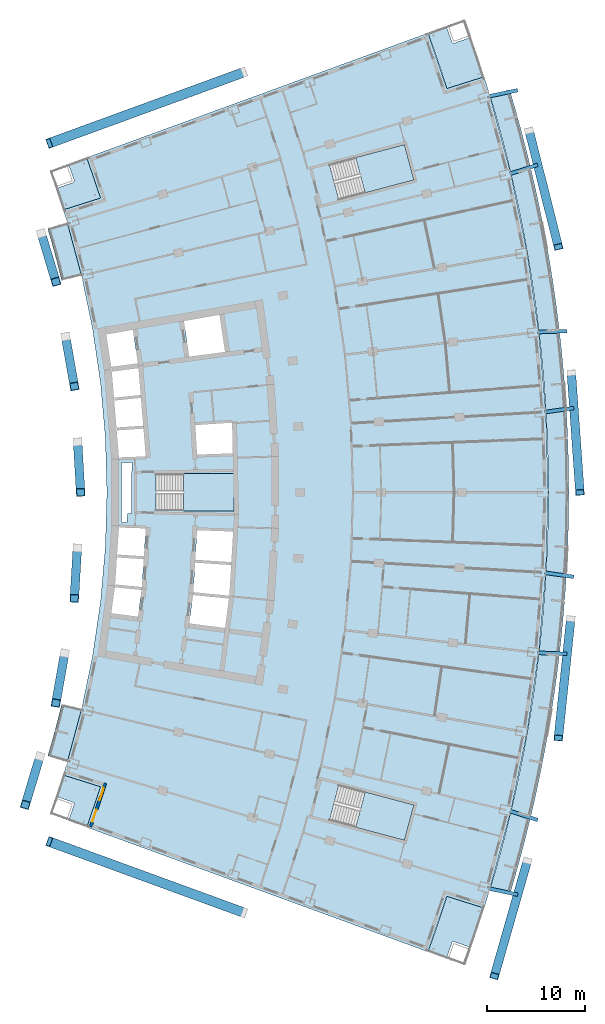
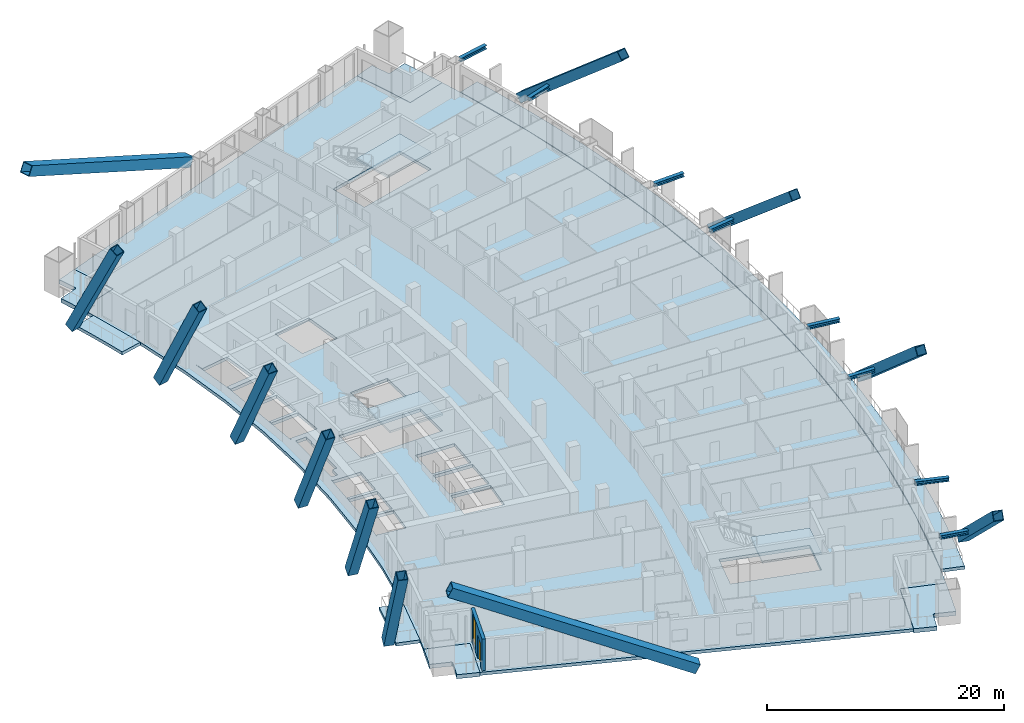
# One storey, part 12 of 25: 20 members, 11 slabs, 1 door, 1 wall, 1 window, 2 openings, 3 elements without a shape of their own.
"""IFC4 building model written with IfcOpenShell, lengths in metres."""

from ifc_helpers import new_model, si_unit, direction, frame, frame_2d, origin, origin_2d, place, context, subcontext, project, spatial, polyline, rectangle, hollow_rectangle, i_section, outline, extrude, material, layer, layer_set, material_profile, profile_set, type_object, element, fill, aggregate, save


model = new_model("IFC4")

# Units and contexts
model_context = context("Model", 3, precision=1e-05, world=origin(), true_north=direction((0.0, 1.0)))
body_context = subcontext(model_context, "Body", "Model", "MODEL_VIEW")
ifc_project = project(units=[si_unit("LENGTHUNIT", "METRE"), si_unit("AREAUNIT", "SQUARE_METRE"), si_unit("VOLUMEUNIT", "CUBIC_METRE"), si_unit("PLANEANGLEUNIT", "RADIAN"), si_unit("MASSUNIT", "GRAM", prefix="KILO")], contexts=[model_context])

# Site, building, storey
site_placement = place(None, origin())
site = spatial("IfcSite", under=ifc_project, at=site_placement, CompositionType="ELEMENT")
building_placement = place(site_placement, origin())
building = spatial("IfcBuilding", under=site, at=building_placement, Name="Alderwake Tower", CompositionType="ELEMENT")
storey_placement = place(building_placement, frame((0.0, 0.0, 114.800048828125)))
storey = spatial("IfcBuildingStorey", under=building, at=storey_placement, Name="L28", CompositionType="ELEMENT", Elevation=114.800048828125)

# Members
ifc_material_1 = material(Name="Steel ASTM A992 Grade 50", Category="steel")
ifc_material_profile_1 = material_profile(ifc_material_1, i_section(OverallWidth=0.3740234375, OverallDepth=0.372314453125, WebThickness=0.016357421875, FlangeThickness=0.026123046875, at=origin_2d()), Name="W14X132")
ifc_profile_set_1 = profile_set([ifc_material_profile_1], Name="Steel ASTM A992 Grade 50")
member_type_1 = type_object("IfcMemberType", Name="Brace node stub W14X132", PredefinedType="MEMBER", material=ifc_profile_set_1)
for number, where, z_axis, x_axis, name in (
    (1, (57.300537109375, 28.367919921875, 3.393798828125), (0.950309447874, -0.311306847471, 0.0), (0.311306847471, 0.950309447874, 0.0), "Brace node stub BS.FR03-C5.1184"),
    (2, (55.1650390625, 20.42041015625, 3.393798828125), (0.978364132105, -0.206890369547, 0.0), (0.206890369547, 0.978364132105, 0.0), "Brace node stub BS.FR02-C5.1184"),
):
    element("IfcMember", number, at=place(storey_placement, frame(where, z_axis=z_axis, x_axis=x_axis)), inside=storey, type_object=member_type_1, Name=name, PredefinedType="MEMBER", context=body_context, shape_type="SweptSolid", body=[
        extrude(i_section(OverallWidth=0.3740234375, OverallDepth=0.372314453125, WebThickness=0.016357421875, FlangeThickness=0.026123046875, at=origin_2d()), origin(), (0.0, 0.0, 1.0), 2.96435546875),
    ])
member_1_placement = place(storey_placement, frame((60.885009765625, 52.771484375, 3.393798828125), z_axis=(0.989997207433, -0.141086956434, 0.0), x_axis=(0.141086956434, 0.989997207433, 0.0)))
element("IfcMember", 3, at=member_1_placement, inside=storey, type_object=member_type_1, Name="Brace node stub BS.FR06-C5.1184", PredefinedType="MEMBER", context=body_context, shape_type="SweptSolid", body=[
    extrude(i_section(OverallWidth=0.3740234375, OverallDepth=0.372314453125, WebThickness=0.016357421875, FlangeThickness=0.026123046875, at=origin_2d()), origin(), (0.0, 0.0, 1.0), 2.964111328125),
])
for number, where, z_axis, x_axis, name in (
    (4, (60.165771484375, 44.57373046875, 3.393798828125), (0.999440785922, -0.033438233134, 0.0), (0.033438233134, 0.999440785922, 0.0), "Brace node stub BS.FR05-C5.1184"),
    (5, (60.165771484375, 77.42626953125, 3.393798828125), (0.999440785922, 0.033438233134, 0.0), (-0.033438233134, 0.999440785922, 0.0), "Brace node stub BS.FR09-C5.1184"),
):
    element("IfcMember", number, at=place(storey_placement, frame(where, z_axis=z_axis, x_axis=x_axis)), inside=storey, type_object=member_type_1, Name=name, PredefinedType="MEMBER", context=body_context, shape_type="SweptSolid", body=[
        extrude(i_section(OverallWidth=0.3740234375, OverallDepth=0.372314453125, WebThickness=0.016357421875, FlangeThickness=0.026123046875, at=origin_2d()), origin(), (0.0, 0.0, 1.0), 2.96435546875),
    ])
member_2_placement = place(storey_placement, frame((60.885009765625, 69.228515625, 3.393798828125), z_axis=(0.989997207433, 0.141086956434, 0.0), x_axis=(-0.141086956434, 0.989997207433, 0.0)))
element("IfcMember", 6, at=member_2_placement, inside=storey, type_object=member_type_1, Name="Brace node stub BS.FR08-C5.1184", PredefinedType="MEMBER", context=body_context, shape_type="SweptSolid", body=[
    extrude(i_section(OverallWidth=0.3740234375, OverallDepth=0.372314453125, WebThickness=0.016357421875, FlangeThickness=0.026123046875, at=origin_2d()), origin(), (0.0, 0.0, 1.0), 2.964111328125),
])
for number, where, z_axis, x_axis, name in (
    (7, (55.1650390625, 101.57958984375, 3.393798828125), (0.978364132105, 0.206890369547, 0.0), (-0.206890369547, 0.978364132105, 0.0), "Brace node stub BS.FR12-C5.1184"),
    (8, (57.300537109375, 93.632080078125, 3.393798828125), (0.950309447874, 0.311306847471, 0.0), (-0.311306847471, 0.950309447874, 0.0), "Brace node stub BS.FR11-C5.1184"),
):
    element("IfcMember", number, at=place(storey_placement, frame(where, z_axis=z_axis, x_axis=x_axis)), inside=storey, type_object=member_type_1, Name=name, PredefinedType="MEMBER", context=body_context, shape_type="SweptSolid", body=[
        extrude(i_section(OverallWidth=0.3740234375, OverallDepth=0.372314453125, WebThickness=0.016357421875, FlangeThickness=0.026123046875, at=origin_2d()), origin(), (0.0, 0.0, 1.0), 2.96435546875),
    ])
ifc_material_2 = material(Name="Steel ASTM A572 Grade 50", Category="steel")
ifc_material_profile_2 = material_profile(ifc_material_2, hollow_rectangle(XDim=1.0, YDim=1.0, WallThickness=0.06005859375, at=origin_2d()), Name="BOX 1000X1000X60")
ifc_profile_set_2 = profile_set([ifc_material_profile_2], Name="Steel ASTM A572 Grade 50")
member_type_2 = type_object("IfcMemberType", Name="Mega brace end Z2", PredefinedType="BRACE", material=ifc_profile_set_2)
for number, where, z_axis, x_axis, name in (
    (9, (30.0439453125, 17.95654296875, 0.329345703125), (-0.842493241713, 0.307531226273, 0.442300443742), (-0.342895039119, -0.939373723365, 0.0), "Brace BRS2.2.0B2"),
    (10, (30.0439453125, 104.04345703125, 0.329345703125), (-0.842493241713, -0.307531226273, 0.442300443742), (0.342895039119, -0.939373723365, 0.0), "Brace BRN2.2.0B2"),
):
    element("IfcMember", number, at=place(storey_placement, frame(where, z_axis=z_axis, x_axis=x_axis)), inside=storey, type_object=member_type_2, Name=name, PredefinedType="BRACE", context=body_context, shape_type="SweptSolid", body=[
        extrude(hollow_rectangle(XDim=1.0, YDim=1.0, WallThickness=0.06005859375, at=origin_2d()), origin(), (0.0, 0.0, 1.0), 23.67333984375),
    ])
ifc_material_3 = material(Name="Steel ASTM A572 Grade 50", Category="steel")
ifc_material_profile_3 = material_profile(ifc_material_3, hollow_rectangle(XDim=0.89990234375, YDim=0.89990234375, WallThickness=0.054931640625, at=origin_2d()), Name="BOX 900X900X55")
ifc_profile_set_3 = profile_set([ifc_material_profile_3], Name="Steel ASTM A572 Grade 50")
member_type_3 = type_object("IfcMemberType", Name="Mega brace face Z2", PredefinedType="BRACE", material=ifc_profile_set_3)
for number, where, z_axis, x_axis, name in (
    (11, (59.056396484375, 23.27587890625, 0.311767578125), (-0.208883739072, -0.731055286581, 0.649558120197), (0.96152019535, -0.274734260574, 0.0), "Brace BRF2.2.1B2"),
    (12, (63.50048828125, 48.062744140625, 0.311767578125), (-0.078413406373, -0.756252397443, 0.649564199339), (0.994667480604, -0.103133908238, 0.0), "Brace BRF2.2.4B2"),
    (13, (63.561279296875, 73.2451171875, 0.311767578125), (0.054447272591, -0.758360845338, 0.649557020411), (0.9974325888, 0.071611666645, 0.0), "Brace BRF2.2.7B2"),
    (14, (59.23681640625, 98.05322265625, 0.311767578125), (0.185644136704, -0.73729964474, 0.649557917643), (0.969732864398, 0.244168326581, 0.0), "Brace BRF2.2.10B2"),
):
    element("IfcMember", number, at=place(storey_placement, frame(where, z_axis=z_axis, x_axis=x_axis)), inside=storey, type_object=member_type_3, Name=name, PredefinedType="BRACE", context=body_context, shape_type="SweptSolid", body=[
        extrude(hollow_rectangle(XDim=0.89990234375, YDim=0.89990234375, WallThickness=0.054931640625, at=origin_2d()), origin(), (0.0, 0.0, 1.0), 16.146728515625),
    ])
for number, where, z_axis, x_axis, name in (
    (15, (9.134521484375, 33.973876953125, 0.504638671875), (-0.129340279084, -0.430823637978, 0.893119300635), (0.957769248011, -0.287537941087, 0.0), "Brace BRR2.2.1B2"),
    (16, (11.674560546875, 44.533203125, 0.504638671875), (-0.078319666764, -0.442957228334, 0.893115291362), (0.984726153271, -0.174110318661, 0.0), "Brace BRR2.2.3B2"),
    (17, (12.968017578125, 55.316162109375, 0.504638671875), (-0.026219583809, -0.449058025452, 0.893117810371), (0.998299768862, -0.058288690933, 0.0), "Brace BRR2.2.5B2"),
    (18, (12.997802734375, 66.176513671875, 0.504638671875), (0.026219583809, -0.449058025452, 0.893117810371), (0.998299768862, 0.058288690933, 0.0), "Brace BRR2.2.7B2"),
):
    element("IfcMember", number, at=place(storey_placement, frame(where, z_axis=z_axis, x_axis=x_axis)), inside=storey, type_object=member_type_3, Name=name, PredefinedType="BRACE", context=body_context, shape_type="SweptSolid", body=[
        extrude(hollow_rectangle(XDim=0.89990234375, YDim=0.89990234375, WallThickness=0.054931640625, at=origin_2d()), origin(), (0.0, 0.0, 1.0), 11.527587890625),
    ])
member_3_placement = place(storey_placement, frame((11.762939453125, 76.96630859375, 0.504638671875), z_axis=(0.078320401502, -0.442940204709, 0.893123669914), x_axis=(0.9847247259, 0.174118391335, 0.0)))
element("IfcMember", 19, at=member_3_placement, inside=storey, type_object=member_type_3, Name="Brace BRR2.2.9B2", PredefinedType="BRACE", context=body_context, shape_type="SweptSolid", body=[
    extrude(hollow_rectangle(XDim=0.89990234375, YDim=0.89990234375, WallThickness=0.054931640625, at=origin_2d()), origin(), (0.0, 0.0, 1.0), 11.52734375),
])
member_4_placement = place(storey_placement, frame((9.28076171875, 87.539306640625, 0.504638671875), z_axis=(0.129340279084, -0.430823637978, 0.893119300635), x_axis=(0.957769248011, 0.287537941087, 0.0)))
element("IfcMember", 20, at=member_4_placement, inside=storey, type_object=member_type_3, Name="Brace BRR2.2.11B2", PredefinedType="BRACE", context=body_context, shape_type="SweptSolid", body=[
    extrude(hollow_rectangle(XDim=0.89990234375, YDim=0.89990234375, WallThickness=0.054931640625, at=origin_2d()), origin(), (0.0, 0.0, 1.0), 11.527587890625),
])

# Slabs
ifc_material_4 = material(Name="Concrete C50/60", Category="concrete")
ifc_layer_1 = layer(ifc_material_4, 0.320068359375)
ifc_layer_set_1 = layer_set([ifc_layer_1], Name="Balcony slab 320")
slab_type_1 = type_object("IfcSlabType", Name="Balcony slab 320", PredefinedType="FLOOR", material=ifc_layer_set_1)
slab_1_placement = place(storey_placement, frame((0.0, 0.0, -0.320068359375)))
element("IfcSlab", 21, at=slab_1_placement, inside=storey, type_object=slab_type_1, Name="Balcony BF02", PredefinedType="FLOOR", context=body_context, shape_type="SweptSolid", body=[
    extrude(outline(polyline([(57.247802734375, 19.794189453125), (57.834228515625, 21.800048828125), (58.39111328125, 23.814208984375), (58.918701171875, 25.83642578125), (59.416748046875, 27.865966796875), (59.885009765625, 29.902587890625), (60.32373046875, 31.94580078125), (60.732421875, 33.9951171875), (61.111328125, 36.05029296875), (61.460205078125, 38.11083984375), (61.77880859375, 40.176025390625), (62.0673828125, 42.245849609375), (62.325927734375, 44.319580078125), (62.553955078125, 46.39697265625), (62.751708984375, 48.477294921875), (62.919189453125, 50.560302734375), (63.056396484375, 52.6455078125), (63.162841796875, 54.732666015625), (63.239013671875, 56.821044921875), (63.284912109375, 58.910400390625), (63.300048828125, 61.0), (63.284912109375, 63.089599609375), (63.239013671875, 65.178955078125), (63.162841796875, 67.267333984375), (63.056396484375, 69.3544921875), (62.919189453125, 71.439697265625), (62.751708984375, 73.522705078125), (62.553955078125, 75.60302734375), (62.325927734375, 77.680419921875), (62.0673828125, 79.754150390625), (61.77880859375, 81.823974609375), (61.460205078125, 83.88916015625), (61.111328125, 85.94970703125), (60.732421875, 88.0048828125), (60.32373046875, 90.05419921875), (59.885009765625, 92.097412109375), (59.416748046875, 94.134033203125), (58.918701171875, 96.16357421875), (58.39111328125, 98.185791015625), (57.834228515625, 100.199951171875), (57.247802734375, 102.205810546875), (55.236572265625, 101.601806640625), (55.814208984375, 99.62548828125), (56.363037109375, 97.640869140625), (56.8828125, 95.648193359375), (57.37353515625, 93.6484375), (57.835205078125, 91.641845703125), (58.267333984375, 89.62841796875), (58.670166015625, 87.609130859375), (59.04345703125, 85.583984375), (59.38720703125, 83.5537109375), (59.701171875, 81.518798828125), (59.985595703125, 79.479248046875), (60.239990234375, 77.43603515625), (60.46484375, 75.38916015625), (60.659912109375, 73.339111328125), (60.82470703125, 71.28662109375), (60.959716796875, 69.23193359375), (61.06494140625, 67.175537109375), (61.139892578125, 65.11767578125), (61.18505859375, 63.05908203125), (61.199951171875, 61.0), (61.18505859375, 58.94091796875), (61.139892578125, 56.88232421875), (61.06494140625, 54.824462890625), (60.959716796875, 52.76806640625), (60.82470703125, 50.71337890625), (60.659912109375, 48.660888671875), (60.46484375, 46.61083984375), (60.239990234375, 44.56396484375), (59.985595703125, 42.520751953125), (59.701171875, 40.481201171875), (59.38720703125, 38.4462890625), (59.04345703125, 36.416015625), (58.670166015625, 34.390869140625), (58.267333984375, 32.37158203125), (57.835205078125, 30.358154296875), (57.37353515625, 28.3515625), (56.8828125, 26.351806640625), (56.363037109375, 24.359130859375), (55.814208984375, 22.37451171875), (55.236572265625, 20.398193359375), (57.247802734375, 19.794189453125)])), origin(), (0.0, 0.0, 1.0), 0.320068359375),
])
slab_2_placement = place(storey_placement, frame((0.0, 0.0, -0.320068359375)))
element("IfcSlab", 22, at=slab_2_placement, inside=storey, type_object=slab_type_1, Name="Balcony BR02", PredefinedType="FLOOR", context=body_context, shape_type="SweptSolid", body=[
    extrude(outline(polyline([(9.93408203125, 33.999267578125), (11.945556640625, 33.395263671875), (13.3984375, 38.802734375), (11.35546875, 39.288330078125), (11.029052734375, 37.95849609375), (10.683349609375, 36.63330078125), (10.318359375, 35.3134765625), (9.93408203125, 33.999267578125)])), origin(), (0.0, 0.0, 1.0), 0.320068359375),
])
slab_3_placement = place(storey_placement, frame((0.0, 0.0, -0.320068359375)))
element("IfcSlab", 23, at=slab_3_placement, inside=storey, type_object=slab_type_1, Name="Balcony BR11", PredefinedType="FLOOR", context=body_context, shape_type="SweptSolid", body=[
    extrude(outline(polyline([(11.35546875, 82.711669921875), (13.3984375, 83.197265625), (11.945556640625, 88.604736328125), (9.93408203125, 88.000732421875), (10.318359375, 86.6865234375), (10.683349609375, 85.36669921875), (11.029052734375, 84.04150390625), (11.35546875, 82.711669921875)])), origin(), (0.0, 0.0, 1.0), 0.320068359375),
])
ifc_material_5 = material(Name="Concrete C50/60", Category="concrete")
ifc_layer_2 = layer(ifc_material_5, 0.320068359375)
ifc_layer_set_2 = layer_set([ifc_layer_2], Name="Concrete C50/60 post-tensioned flat plate 320")
slab_type_2 = type_object("IfcSlabType", Name="Concrete C50/60 post-tensioned flat plate 320", PredefinedType="FLOOR", material=ifc_layer_set_2)
slab_4_placement = place(storey_placement, frame((0.0, 0.0, -0.320068359375)))
element("IfcSlab", 24, at=slab_4_placement, inside=storey, type_object=slab_type_2, Name="Floor slab L28", PredefinedType="FLOOR", context=body_context, shape_type="SweptSolid", body=[
    extrude(outline(polyline([(11.533203125, 32.057373046875), (11.945556640625, 33.395263671875), (13.3984375, 38.802734375), (14.53369140625, 44.28564453125), (15.347412109375, 49.825439453125), (15.836669921875, 55.4033203125), (16.0, 61.0), (15.836669921875, 66.5966796875), (15.347412109375, 72.174560546875), (14.53369140625, 77.71435546875), (13.3984375, 83.197265625), (11.945556640625, 88.604736328125), (11.533203125, 89.942626953125), (15.34716796875, 91.1484375), (13.937255859375, 95.289794921875), (48.8818359375, 108.045654296875), (50.816162109375, 102.36376953125), (54.630126953125, 103.569580078125), (55.236572265625, 101.601806640625), (57.37353515625, 93.6484375), (59.04345703125, 85.583984375), (60.239990234375, 77.43603515625), (60.959716796875, 69.23193359375), (61.199951171875, 61.0), (60.959716796875, 52.76806640625), (60.239990234375, 44.56396484375), (59.04345703125, 36.416015625), (57.37353515625, 28.3515625), (55.236572265625, 20.398193359375), (54.630126953125, 18.430419921875), (50.816162109375, 19.63623046875), (48.8818359375, 13.954345703125), (13.937255859375, 26.710205078125), (15.34716796875, 30.8515625), (11.533203125, 32.057373046875)]), holes=[polyline([(16.84375, 51.279541015625), (16.8583984375, 51.4287109375), (16.873291015625, 51.577880859375), (19.574951171875, 51.31103515625), (19.76611328125, 54.161376953125), (17.0537109375, 54.34326171875), (17.06396484375, 54.492919921875), (17.073974609375, 54.642578125), (19.7861328125, 54.460693359375), (19.977294921875, 57.31103515625), (17.263916015625, 57.406982421875), (17.269287109375, 57.556884765625), (17.2392578125, 57.55810546875), (17.033935546875, 54.494873046875), (16.82861328125, 51.431640625), (16.82861328125, 51.431640625), (16.41015625, 48.39013671875), (16.43994140625, 48.38623046875), (16.472412109375, 48.63427734375), (19.18017578125, 48.280029296875), (19.545166015625, 51.012451171875), (16.84375, 51.279541015625)]), polyline([(29.0, 62.875), (21.050048828125, 62.875), (21.050048828125, 59.125), (29.0, 59.125), (29.0, 62.875)]), polyline([(19.738525390625, 67.5361328125), (17.02587890625, 67.354248046875), (17.015869140625, 67.50390625), (17.005859375, 67.653564453125), (19.7138671875, 67.835205078125), (19.47802734375, 70.679443359375), (16.777099609375, 70.41259765625), (16.76220703125, 70.561767578125), (16.74755859375, 70.7109375), (19.453125, 70.978515625), (19.2255859375, 73.725830078125), (16.541015625, 73.374755859375), (16.508544921875, 73.62255859375), (16.47607421875, 73.87060546875), (19.16796875, 74.22265625), (18.656982421875, 77.6376953125), (18.90283203125, 77.674560546875), (18.900146484375, 77.690673828125), (15.96826171875, 77.183837890625), (15.836669921875, 77.94482421875), (15.58544921875, 77.900390625), (15.586181640625, 77.896484375), (15.8154296875, 77.931884765625), (16.478515625, 73.61865234375), (16.47900390625, 73.61376953125), (16.732421875, 70.558837890625), (16.98583984375, 67.501953125), (17.239501953125, 64.4443359375), (17.239501953125, 64.44189453125), (17.269287109375, 64.443115234375), (17.263916015625, 64.593017578125), (19.974609375, 64.68896484375), (19.738525390625, 67.5361328125)]), polyline([(47.436279296875, 28.996826171875), (39.754150390625, 31.043212890625), (38.7890625, 27.41943359375), (46.47119140625, 25.373291015625), (47.436279296875, 28.996826171875)]), polyline([(24.82470703125, 50.49072265625), (24.8291015625, 50.534423828125), (24.825439453125, 50.534912109375), (24.43212890625, 47.59326171875), (28.095703125, 47.114013671875), (28.497802734375, 50.127685546875), (24.82470703125, 50.49072265625)]), polyline([(25.031005859375, 53.808349609375), (24.84521484375, 50.735595703125), (24.848876953125, 50.7353515625), (24.854248046875, 50.789306640625), (28.5341796875, 50.42578125), (28.719970703125, 53.56103515625), (25.031005859375, 53.808349609375)]), polyline([(28.92333984375, 56.994384765625), (25.2314453125, 57.125), (25.049072265625, 54.10791015625), (28.737548828125, 53.860595703125), (28.92333984375, 56.994384765625)]), polyline([(28.819091796875, 68.091552734375), (28.815673828125, 68.144775390625), (25.05126953125, 67.892333984375), (25.232177734375, 64.875), (28.887451171875, 65.00439453125), (28.819091796875, 68.091552734375)]), polyline([(28.09619140625, 75.390380859375), (27.523193359375, 79.181396484375), (23.877685546875, 78.551025390625), (24.427001953125, 74.915283203125), (24.368896484375, 74.90673828125), (24.36962890625, 74.90283203125), (28.09619140625, 75.390380859375)]), polyline([(46.47119140625, 96.626708984375), (38.7890625, 94.58056640625), (39.754150390625, 90.956787109375), (47.436279296875, 93.003173828125), (46.47119140625, 96.626708984375)]), polyline([(17.489501953125, 64.050537109375), (17.4892578125, 57.949462890625), (18.065673828125, 57.928955078125), (18.090576171875, 58.84326171875), (18.544189453125, 58.8310546875), (18.529296875, 58.8681640625), (18.5234375, 58.89208984375), (18.5185546875, 58.94091796875), (18.5185546875, 63.060302734375), (18.5234375, 63.109130859375), (18.53759765625, 63.156005859375), (18.560791015625, 63.19921875), (18.588623046875, 63.233642578125), (18.565185546875, 64.088623046875), (17.489501953125, 64.050537109375)])]), origin(), (0.0, 0.0, 1.0), 0.320068359375),
])

# Stair, slab
ifc_material_6 = material(Name="Concrete C40/50", Category="concrete")
stair_type = type_object("IfcStairType", Name="Core exit stair", PredefinedType="HALF_TURN_STAIR", material=ifc_material_6)
stair_1_placement = place(storey_placement, origin())
stair_1 = element("IfcStair", 25, at=stair_1_placement, inside=storey, type_object=stair_type, Name="L28 Exit Stair B", PredefinedType="HALF_TURN_STAIR")
ifc_material_7 = material(Name="Concrete C40/50", Category="concrete")
ifc_layer_3 = layer(ifc_material_7, 0.199951171875)
ifc_layer_set_3 = layer_set([ifc_layer_3], Name="Core stair landing 200")
slab_type_3 = type_object("IfcSlabType", Name="Core stair landing 200", PredefinedType="LANDING", material=ifc_layer_set_3)
slab_5_placement = place(storey_placement, frame((0.0, 0.0, 1.599853515625)))
slab_5 = element("IfcSlab", 26, at=slab_5_placement, type_object=slab_type_3, Name="ST-B landing 1", PredefinedType="LANDING", context=body_context, shape_type="SweptSolid", body=[
    extrude(outline(polyline([(23.830078125, 59.074951171875), (29.0, 59.074951171875), (29.0, 62.925048828125), (23.830078125, 62.925048828125), (23.830078125, 59.074951171875)])), origin(), (0.0, 0.0, 1.0), 0.2001953125),
])
aggregate(stair_1, [slab_5])

stair_2_placement = place(storey_placement, origin())
stair_2 = element("IfcStair", 27, at=stair_2_placement, inside=storey, type_object=stair_type, Name="L28 Exit Stair A", PredefinedType="HALF_TURN_STAIR")
slab_6_placement = place(storey_placement, frame((0.0, 0.0, 1.599853515625)))
slab_6 = element("IfcSlab", 28, at=slab_6_placement, type_object=slab_type_3, Name="ST-A landing 1", PredefinedType="LANDING", context=body_context, shape_type="SweptSolid", body=[
    extrude(outline(polyline([(42.440673828125, 91.67236328125), (47.436279296875, 93.003173828125), (46.47119140625, 96.626708984375), (41.475341796875, 95.296142578125), (42.440673828125, 91.67236328125)])), origin(), (0.0, 0.0, 1.0), 0.2001953125),
])
aggregate(stair_2, [slab_6])

stair_3_placement = place(storey_placement, origin())
stair_3 = element("IfcStair", 29, at=stair_3_placement, inside=storey, type_object=stair_type, Name="L28 Exit Stair C", PredefinedType="HALF_TURN_STAIR")
slab_7_placement = place(storey_placement, frame((0.0, 0.0, 1.599853515625)))
slab_7 = element("IfcSlab", 30, at=slab_7_placement, type_object=slab_type_3, Name="ST-C landing 1", PredefinedType="LANDING", context=body_context, shape_type="SweptSolid", body=[
    extrude(outline(polyline([(41.475341796875, 26.703857421875), (46.47119140625, 25.373291015625), (47.436279296875, 28.996826171875), (42.4404296875, 30.32763671875), (41.475341796875, 26.703857421875)])), origin(), (0.0, 0.0, 1.0), 0.2001953125),
])
aggregate(stair_3, [slab_7])

# Slabs
ifc_material_8 = material(Name="Concrete C50/60", Category="concrete")
ifc_layer_4 = layer(ifc_material_8, 0.419921875)
ifc_layer_set_4 = layer_set([ifc_layer_4], Name="Terrace slab 420")
slab_type_4 = type_object("IfcSlabType", Name="Terrace slab 420", PredefinedType="FLOOR", material=ifc_layer_set_4)
slab_8_placement = place(storey_placement, frame((0.0, 0.0, -0.420166015625)))
element("IfcSlab", 31, at=slab_8_placement, inside=storey, type_object=slab_type_4, Name="Corner terrace FS", PredefinedType="FLOOR", context=body_context, shape_type="SweptSolid", body=[
    extrude(outline(polyline([(53.331298828125, 14.522216796875), (53.279296875, 14.3759765625), (51.54150390625, 14.99755859375), (51.527587890625, 15.001953125), (51.51318359375, 15.004638671875), (51.498291015625, 15.006103515625), (51.483642578125, 15.006103515625), (51.468994140625, 15.004638671875), (51.45458984375, 15.001953125), (51.4404296875, 14.99755859375), (51.427001953125, 14.991943359375), (51.4140625, 14.985107421875), (51.401611328125, 14.976806640625), (51.390380859375, 14.967529296875), (51.3798828125, 14.95703125), (51.37060546875, 14.94580078125), (51.3623046875, 14.93359375), (51.35546875, 14.92041015625), (51.349853515625, 14.906982421875), (50.777099609375, 13.306396484375), (50.77294921875, 13.292236328125), (50.77001953125, 13.277587890625), (50.768798828125, 13.265625), (48.8818359375, 13.954345703125), (49.55419921875, 15.8388671875), (50.19921875, 17.73291015625), (50.816162109375, 19.63623046875), (54.630126953125, 18.430419921875), (53.9951171875, 16.471435546875), (53.331298828125, 14.522216796875)])), origin(), (0.0, 0.0, 1.0), 0.420166015625),
])
slab_9_placement = place(storey_placement, frame((0.0, 0.0, -0.420166015625)))
element("IfcSlab", 32, at=slab_9_placement, inside=storey, type_object=slab_type_4, Name="Corner terrace RS", PredefinedType="FLOOR", context=body_context, shape_type="SweptSolid", body=[
    extrude(outline(polyline([(13.937255859375, 26.710205078125), (12.04931640625, 27.3994140625), (12.0537109375, 27.40380859375), (12.06298828125, 27.4150390625), (12.071044921875, 27.427490234375), (12.077880859375, 27.4404296875), (12.08349609375, 27.4541015625), (12.651611328125, 29.056396484375), (12.65576171875, 29.0703125), (12.65869140625, 29.084716796875), (12.66015625, 29.099609375), (12.659912109375, 29.1142578125), (12.658447265625, 29.12890625), (12.655517578125, 29.143310546875), (12.6513671875, 29.157470703125), (12.6455078125, 29.1708984375), (12.638671875, 29.183837890625), (12.63037109375, 29.196044921875), (12.62109375, 29.20751953125), (12.610595703125, 29.218017578125), (12.59912109375, 29.227294921875), (12.5869140625, 29.2353515625), (12.573974609375, 29.2421875), (12.560302734375, 29.247802734375), (10.8095703125, 29.868408203125), (11.101318359375, 30.7255859375), (11.533203125, 32.057373046875), (15.34716796875, 30.8515625), (13.937255859375, 26.710205078125)])), origin(), (0.0, 0.0, 1.0), 0.420166015625),
])
slab_10_placement = place(storey_placement, frame((0.0, 0.0, -0.420166015625)))
element("IfcSlab", 33, at=slab_10_placement, inside=storey, type_object=slab_type_4, Name="Corner terrace FN", PredefinedType="FLOOR", context=body_context, shape_type="SweptSolid", body=[
    extrude(outline(polyline([(53.331298828125, 107.477783203125), (53.9951171875, 105.528564453125), (54.630126953125, 103.569580078125), (50.816162109375, 102.36376953125), (50.19921875, 104.26708984375), (49.55419921875, 106.1611328125), (48.8818359375, 108.045654296875), (50.768798828125, 108.734375), (50.77001953125, 108.722412109375), (50.77294921875, 108.707763671875), (50.777099609375, 108.693603515625), (51.349853515625, 107.093017578125), (51.35546875, 107.07958984375), (51.3623046875, 107.06640625), (51.37060546875, 107.05419921875), (51.3798828125, 107.04296875), (51.390380859375, 107.032470703125), (51.401611328125, 107.023193359375), (51.4140625, 107.014892578125), (51.427001953125, 107.008056640625), (51.4404296875, 107.00244140625), (51.45458984375, 106.998046875), (51.468994140625, 106.995361328125), (51.483642578125, 106.993896484375), (51.498291015625, 106.993896484375), (51.51318359375, 106.995361328125), (51.527587890625, 106.998046875), (51.54150390625, 107.00244140625), (53.279296875, 107.6240234375), (53.331298828125, 107.477783203125)])), origin(), (0.0, 0.0, 1.0), 0.420166015625),
])
slab_11_placement = place(storey_placement, frame((0.0, 0.0, -0.420166015625)))
element("IfcSlab", 34, at=slab_11_placement, inside=storey, type_object=slab_type_4, Name="Corner terrace RN", PredefinedType="FLOOR", context=body_context, shape_type="SweptSolid", body=[
    extrude(outline(polyline([(10.8095703125, 92.131591796875), (12.560302734375, 92.752197265625), (12.573974609375, 92.7578125), (12.5869140625, 92.7646484375), (12.59912109375, 92.772705078125), (12.610595703125, 92.781982421875), (12.62109375, 92.79248046875), (12.63037109375, 92.803955078125), (12.638671875, 92.816162109375), (12.6455078125, 92.8291015625), (12.6513671875, 92.842529296875), (12.655517578125, 92.856689453125), (12.658447265625, 92.87109375), (12.659912109375, 92.8857421875), (12.66015625, 92.900390625), (12.65869140625, 92.915283203125), (12.65576171875, 92.9296875), (12.651611328125, 92.943603515625), (12.08349609375, 94.5458984375), (12.077880859375, 94.5595703125), (12.071044921875, 94.572509765625), (12.06298828125, 94.5849609375), (12.0537109375, 94.59619140625), (12.04931640625, 94.6005859375), (13.937255859375, 95.289794921875), (15.34716796875, 91.1484375), (11.533203125, 89.942626953125), (11.101318359375, 91.2744140625), (10.8095703125, 92.131591796875)])), origin(), (0.0, 0.0, 1.0), 0.420166015625),
])

# Wall, openings, door, window
ifc_material_9 = material(Name="Bronze metal cladding on lightweight framing")
ifc_layer_5 = layer(ifc_material_9, 0.300048828125)
ifc_layer_set_5 = layer_set([ifc_layer_5], Name="External wall EW2 bronze metal cladding")
wall_type = type_object("IfcWallType", Name="External wall EW2 bronze metal cladding", PredefinedType="SOLIDWALL", material=ifc_layer_set_5)
wall_placement = place(storey_placement, frame((15.83740234375, 31.220703125, 0.0), z_axis=(0.0, 0.0, 1.0), x_axis=(-0.32041006121, -0.947278941324, 0.0)))
wall = element("IfcWall", 35, at=wall_placement, inside=storey, type_object=wall_type, Name="External wall 3", PredefinedType="SOLIDWALL", context=body_context, shape_type="SweptSolid", body=[
    extrude(rectangle(XDim=4.68994140625, YDim=0.300048828125, at=frame_2d((2.344970703125, 0.0))), origin(), (0.0, 0.0, 1.0), 3.280029296875),
])
opening_1_placement = place(wall_placement, frame((0.5224609375, 0.0, 0.199951171875)))
opening_1 = element("IfcOpeningElement", 36, at=opening_1_placement, cuts=wall, Name="Opening W1", PredefinedType="OPENING", context=body_context, shape_type="SweptSolid", body=[
    extrude(rectangle(XDim=1.300048828125, YDim=2.89990234375, at=frame_2d((0.64990234375, 1.449951171875))), frame((0.0, 0.159912109375, 0.0), z_axis=(0.0, -1.0, 0.0), x_axis=(1.0, 0.0, 0.0)), (0.0, 0.0, 1.0), 0.320068359375),
])
opening_2_placement = place(wall_placement, frame((2.867431640625, 0.0, 0.0)))
opening_2 = element("IfcOpeningElement", 37, at=opening_2_placement, cuts=wall, Name="Opening D01", PredefinedType="OPENING", context=body_context, shape_type="SweptSolid", body=[
    extrude(rectangle(XDim=1.300048828125, YDim=2.39990234375, at=frame_2d((0.64990234375, 1.199951171875))), frame((0.0, 0.159912109375, 0.0), z_axis=(0.0, -1.0, 0.0), x_axis=(1.0, 0.0, 0.0)), (0.0, 0.0, 1.0), 0.320068359375),
])
ifc_material_10 = material(Name="Bronze tinted glass in aluminium frame", Category="aluminium")
door_type = type_object("IfcDoorType", Name="Balcony door BD sliding", OperationType="SLIDING_TO_LEFT", PredefinedType="DOOR", material=ifc_material_10)
door_placement = place(opening_2_placement, origin())
door = element("IfcDoor", 38, at=door_placement, inside=storey, type_object=door_type, Name="Door D01", OperationType="SLIDING_TO_LEFT", OverallHeight=2.39990234375, OverallWidth=1.300048828125, PredefinedType="DOOR", context=body_context, shape_type="SweptSolid", body=[
    extrude(rectangle(XDim=1.300048828125, YDim=2.39990234375, at=frame_2d((0.64990234375, 1.199951171875))), frame((0.0, 0.02490234375, 0.0), z_axis=(0.0, -1.0, 0.0), x_axis=(1.0, 0.0, 0.0)), (0.0, 0.0, 1.0), 0.050048828125),
])
fill(opening_2, door)
ifc_material_11 = material(Name="Bronze tinted glass in aluminium frame", Category="aluminium")
window_type = type_object("IfcWindowType", Name="Window W1 tall fixed and vent", PartitioningType="DOUBLE_PANEL_VERTICAL", PredefinedType="WINDOW", material=ifc_material_11)
window_placement = place(opening_1_placement, origin())
window = element("IfcWindow", 39, at=window_placement, inside=storey, type_object=window_type, Name="Window W1 tall fixed and vent", OverallHeight=2.89990234375, OverallWidth=1.300048828125, PartitioningType="DOUBLE_PANEL_VERTICAL", PredefinedType="WINDOW", context=body_context, shape_type="SweptSolid", body=[
    extrude(rectangle(XDim=1.300048828125, YDim=2.89990234375, at=frame_2d((0.64990234375, 1.449951171875))), frame((0.0, 0.030029296875, 0.0), z_axis=(0.0, -1.0, 0.0), x_axis=(1.0, 0.0, 0.0)), (0.0, 0.0, 1.0), 0.06005859375),
])
fill(opening_1, window)

save(model, "model.ifc")
